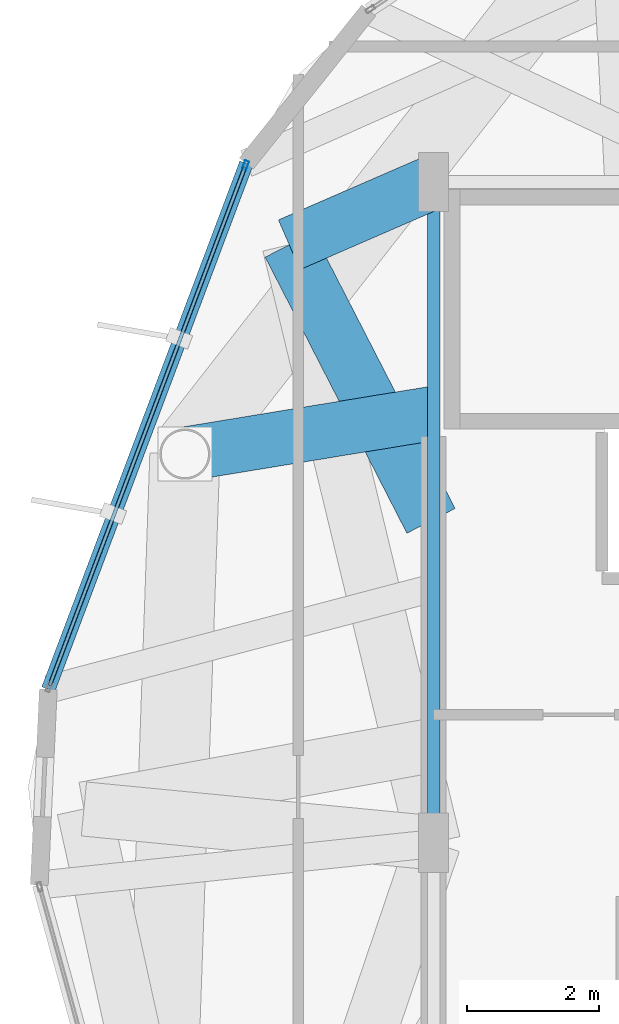
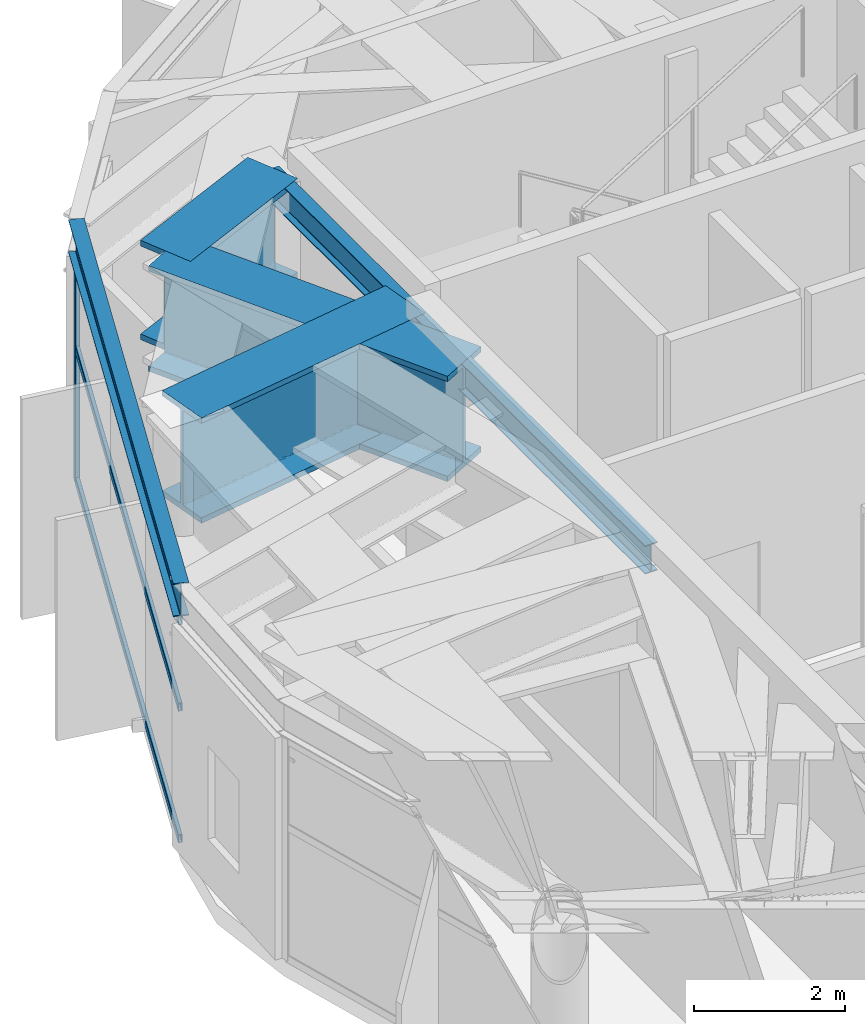
# One storey, part 11 of 27: 5 beams, 4 members, 1 element without a shape of its own.
"""IFC4 building model written with IfcOpenShell, lengths in metres."""

from ifc_helpers import new_model, si_unit, direction, frame, origin, origin_2d, place, context, subcontext, project, spatial, hollow_rectangle, i_section, extrude, material, layer, layer_set, material_profile, profile_set, type_object, element, aggregate, save


model = new_model("IFC4")

# Units and contexts
model_context = context("Model", 3, precision=1e-05, world=origin(), true_north=direction((0.0, 1.0)))
body_context = subcontext(model_context, "Body", "Model", "MODEL_VIEW")
ifc_project = project(units=[si_unit("LENGTHUNIT", "METRE"), si_unit("AREAUNIT", "SQUARE_METRE"), si_unit("VOLUMEUNIT", "CUBIC_METRE"), si_unit("PLANEANGLEUNIT", "RADIAN"), si_unit("MASSUNIT", "GRAM", prefix="KILO")], contexts=[model_context])

# Site, building, storey
site_placement = place(None, origin())
site = spatial("IfcSite", under=ifc_project, at=site_placement, CompositionType="ELEMENT")
building_placement = place(site_placement, origin())
building = spatial("IfcBuilding", under=site, at=building_placement, Name="Soratama Intermodal Tower", CompositionType="ELEMENT")
storey_placement = place(building_placement, frame((0.0, 0.0, 288.550048828125)))
storey = spatial("IfcBuildingStorey", under=building, at=storey_placement, Name="L73", CompositionType="ELEMENT", Elevation=288.550048828125)

# Beams
ifc_material_1 = material(Name="Structural steel ASTM A992 Grade 50", Category="steel")
ifc_material_profile_1 = material_profile(ifc_material_1, i_section(OverallWidth=0.19091796875, OverallDepth=0.4599609375, WebThickness=0.010009765625, FlangeThickness=0.01611328125, FilletRadius=0.010986328125, at=origin_2d()), Name="W18X55")
ifc_profile_set_1 = profile_set([ifc_material_profile_1], Name="Structural steel ASTM A992 Grade 50")
beam_type_1 = type_object("IfcBeamType", Name="BM-FLR-W18X55", PredefinedType="BEAM", material=ifc_profile_set_1)
beam_1_placement = place(storey_placement, frame((32.60009765625, 35.0, 3.96484375), z_axis=(0.0, -1.0, 0.0), x_axis=(1.0, 0.0, 0.0)))
element("IfcBeam", 1, at=beam_1_placement, inside=storey, type_object=beam_type_1, Name="BM-L73-CRING-08", PredefinedType="BEAM", context=body_context, shape_type="SweptSolid", body=[
    extrude(i_section(OverallWidth=0.19091796875, OverallDepth=0.4599609375, WebThickness=0.010009765625, FlangeThickness=0.01611328125, FilletRadius=0.010986328125, at=origin_2d()), origin(), (0.0, 0.0, 1.0), 10.0),
])
ifc_material_2 = material(Name="Structural steel ASTM A992 Grade 50", Category="steel")
ifc_material_profile_2 = material_profile(ifc_material_2, i_section(OverallWidth=0.2099609375, OverallDepth=0.537109375, WebThickness=0.010986328125, FlangeThickness=0.017333984375, FilletRadius=0.012939453125, at=origin_2d()), Name="W21X68")
ifc_profile_set_2 = profile_set([ifc_material_profile_2], Name="Structural steel ASTM A992 Grade 50")
beam_type_2 = type_object("IfcBeamType", Name="BM-SPN-W21X68", PredefinedType="SPANDREL", material=ifc_profile_set_2)
beam_2_placement = place(storey_placement, frame((29.76611328125, 35.280029296875, 3.926513671875), z_axis=(-0.352457603215, -0.935827782199, 0.0), x_axis=(0.935827782199, -0.352457603215, 0.0)))
element("IfcBeam", 2, at=beam_2_placement, inside=storey, type_object=beam_type_2, Name="BS-L73-F03", PredefinedType="SPANDREL", context=body_context, shape_type="SweptSolid", body=[
    extrude(i_section(OverallWidth=0.2099609375, OverallDepth=0.537109375, WebThickness=0.010986328125, FlangeThickness=0.017333984375, FilletRadius=0.012939453125, at=origin_2d()), origin(), (0.0, 0.0, 1.0), 8.50048828125),
])
ifc_material_3 = material(Name="Structural steel ASTM A992 Grade 50", Category="steel")
ifc_material_profile_3 = material_profile(ifc_material_3, i_section(OverallWidth=0.820068359375, OverallDepth=1.699951171875, WebThickness=0.053955078125, FlangeThickness=0.087890625, FilletRadius=0.02392578125, at=origin_2d()), Name="PG1580X800")
ifc_profile_set_3 = profile_set([ifc_material_profile_3], Name="Structural steel ASTM A992 Grade 50")
beam_type_3 = type_object("IfcBeamType", Name="BM-ZSTEP-PG1580", PredefinedType="BEAM", material=ifc_profile_set_3)
beam_3_placement = place(storey_placement, frame((32.56103515625, 29.8720703125, 3.344970703125), z_axis=(-0.456732416554, 0.889604125254, 0.0), x_axis=(-0.889604125254, -0.456732416554, 0.0)))
element("IfcBeam", 3, at=beam_3_placement, inside=storey, type_object=beam_type_3, Name="BM-L73-ZCHORD-04", PredefinedType="BEAM", context=body_context, shape_type="SweptSolid", body=[
    extrude(i_section(OverallWidth=0.820068359375, OverallDepth=1.699951171875, WebThickness=0.053955078125, FlangeThickness=0.087890625, FilletRadius=0.02392578125, at=origin_2d()), origin(), (0.0, 0.0, 1.0), 4.696533203125),
])
beam_4_placement = place(storey_placement, frame((32.60009765625, 31.5, 3.344970703125), z_axis=(-0.986826492219, -0.161782181513, 0.0), x_axis=(0.161782181513, -0.986826492219, 0.0)))
element("IfcBeam", 4, at=beam_4_placement, inside=storey, type_object=beam_type_3, Name="BM-L73-RAD-05", PredefinedType="BEAM", context=body_context, shape_type="SweptSolid", body=[
    extrude(i_section(OverallWidth=0.820068359375, OverallDepth=1.699951171875, WebThickness=0.053955078125, FlangeThickness=0.087890625, FilletRadius=0.02392578125, at=origin_2d()), origin(), (0.0, 0.0, 1.0), 3.8134765625),
])
ifc_material_4 = material(Name="Structural steel ASTM A992 Grade 50", Category="steel")
ifc_material_profile_4 = material_profile(ifc_material_4, i_section(OverallWidth=0.820068359375, OverallDepth=1.60205078125, WebThickness=0.055908203125, FlangeThickness=0.092041015625, FilletRadius=0.02392578125, at=origin_2d()), Name="PG1600X650")
ifc_profile_set_4 = profile_set([ifc_material_profile_4], Name="Structural steel ASTM A992 Grade 50")
beam_type_4 = type_object("IfcBeamType", Name="BM-ZSTEP-PG1600", PredefinedType="BEAM", material=ifc_profile_set_4)
beam_5_placement = place(storey_placement, frame((32.60009765625, 35.0, 3.39404296875), z_axis=(-0.91701626907, -0.398849799123, 0.0), x_axis=(0.398849799123, -0.91701626907, 0.0)))
element("IfcBeam", 5, at=beam_5_placement, inside=storey, type_object=beam_type_4, Name="BM-L73-ZSTEP-A04", PredefinedType="BEAM", context=body_context, shape_type="SweptSolid", body=[
    extrude(i_section(OverallWidth=0.820068359375, OverallDepth=1.60205078125, WebThickness=0.055908203125, FlangeThickness=0.092041015625, FilletRadius=0.02392578125, at=origin_2d()), origin(), (0.0, 0.0, 1.0), 2.3818359375),
])

# Curtain wall, members
ifc_material_5 = material(Name="Double-glazed aluminium curtain wall", Category="aluminium")
ifc_layer = layer(ifc_material_5, 0.159912109375)
ifc_layer_set = layer_set([ifc_layer], Name="Double-glazed aluminium curtain wall")
curtain_wall_type = type_object("IfcCurtainWallType", Name="CW-SYS-6", PredefinedType="NOTDEFINED", material=ifc_layer_set)
curtain_wall_placement = place(storey_placement, origin())
curtain_wall = element("IfcCurtainWall", 6, at=curtain_wall_placement, inside=storey, type_object=curtain_wall_type, Name="L73 Faceted Curtain Wall F03", PredefinedType="NOTDEFINED")
ifc_material_6 = material(Name="Anodised aluminium AA 6063-T6", Category="aluminium")
ifc_material_profile_5 = material_profile(ifc_material_6, hollow_rectangle(XDim=0.06494140625, YDim=0.139892578125, WallThickness=0.0048828125, InnerFilletRadius=0.0048828125, OuterFilletRadius=0.010009765625, at=origin_2d()), Name="CWM140X65X5")
ifc_profile_set_5 = profile_set([ifc_material_profile_5], Name="Anodised aluminium AA 6063-T6")
member_type_1 = type_object("IfcMemberType", Name="MT-CWM-6", PredefinedType="MULLION", material=ifc_profile_set_5)
member_1_placement = place(storey_placement, frame((29.75537109375, 35.251708984375, 0.0), z_axis=(0.0, 0.0, 1.0), x_axis=(0.935812285902, -0.352498745466, 0.0)))
member_1 = element("IfcMember", 7, at=member_1_placement, type_object=member_type_1, Name="CW-6 mullion 1", PredefinedType="MULLION", context=body_context, shape_type="SweptSolid", body=[
    extrude(hollow_rectangle(XDim=0.06494140625, YDim=0.139892578125, WallThickness=0.0048828125, InnerFilletRadius=0.0048828125, OuterFilletRadius=0.010009765625, at=origin_2d()), origin(), (0.0, 0.0, 1.0), 3.573974609375),
])
ifc_material_7 = material(Name="Anodised aluminium AA 6063-T6", Category="aluminium")
ifc_material_profile_6 = material_profile(ifc_material_7, hollow_rectangle(XDim=0.06005859375, YDim=0.1298828125, WallThickness=0.0048828125, InnerFilletRadius=0.0048828125, OuterFilletRadius=0.010009765625, at=origin_2d()), Name="CWT130X60X5")
ifc_profile_set_6 = profile_set([ifc_material_profile_6], Name="Anodised aluminium AA 6063-T6")
member_type_2 = type_object("IfcMemberType", Name="TT-CWT-2", PredefinedType="USERDEFINED", material=ifc_profile_set_6)
member_2_placement = place(storey_placement, frame((29.74462890625, 35.2236328125, 0.030029296875), z_axis=(-0.352492764939, -0.935814538606, 0.0), x_axis=(0.935814538606, -0.352492764939, 0.0)))
member_2 = element("IfcMember", 8, at=member_2_placement, type_object=member_type_2, Name="CW-6 transom 1.1", ObjectType="TRANSOM", PredefinedType="USERDEFINED", context=body_context, shape_type="SweptSolid", body=[
    extrude(hollow_rectangle(XDim=0.06005859375, YDim=0.1298828125, WallThickness=0.0048828125, InnerFilletRadius=0.0048828125, OuterFilletRadius=0.010009765625, at=origin_2d()), origin(), (0.0, 0.0, 1.0), 8.3798828125),
])
member_3_placement = place(storey_placement, frame((29.74462890625, 35.2236328125, 2.14990234375), z_axis=(-0.352492764939, -0.935814538606, 0.0), x_axis=(0.935814538606, -0.352492764939, 0.0)))
member_3 = element("IfcMember", 9, at=member_3_placement, type_object=member_type_2, Name="CW-6 transom 1.2", ObjectType="TRANSOM", PredefinedType="USERDEFINED", context=body_context, shape_type="SweptSolid", body=[
    extrude(hollow_rectangle(XDim=0.06005859375, YDim=0.1298828125, WallThickness=0.0048828125, InnerFilletRadius=0.0048828125, OuterFilletRadius=0.010009765625, at=origin_2d()), origin(), (0.0, 0.0, 1.0), 8.3798828125),
])
member_4_placement = place(storey_placement, frame((29.74462890625, 35.2236328125, 3.5439453125), z_axis=(-0.352492764939, -0.935814538606, 0.0), x_axis=(0.935814538606, -0.352492764939, 0.0)))
member_4 = element("IfcMember", 10, at=member_4_placement, type_object=member_type_2, Name="CW-6 transom 1.3", ObjectType="TRANSOM", PredefinedType="USERDEFINED", context=body_context, shape_type="SweptSolid", body=[
    extrude(hollow_rectangle(XDim=0.06005859375, YDim=0.1298828125, WallThickness=0.0048828125, InnerFilletRadius=0.0048828125, OuterFilletRadius=0.010009765625, at=origin_2d()), origin(), (0.0, 0.0, 1.0), 8.3798828125),
])
aggregate(curtain_wall, [member_1, member_2, member_3, member_4])

save(model, "model.ifc")
